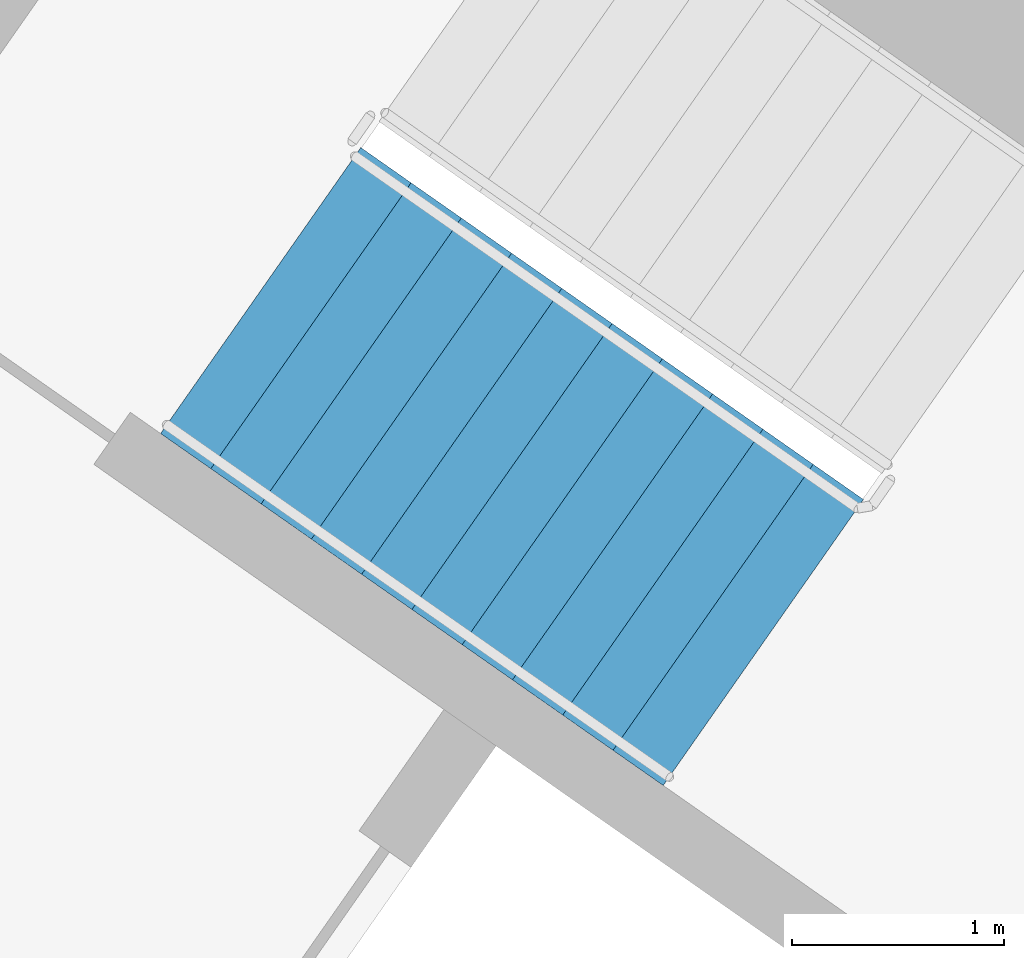
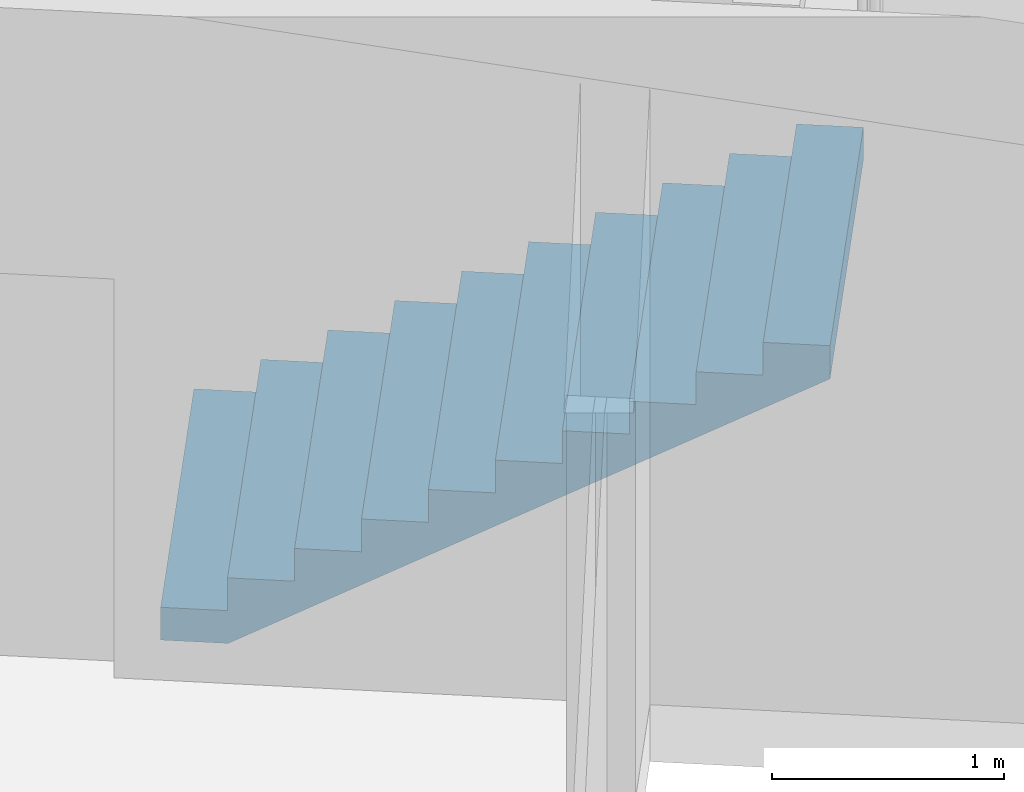
# One storey, part 11 of 29: 1 stair flight, 1 element without a shape of its own.
"""IFC4 building model written with IfcOpenShell, lengths in metres."""

from ifc_helpers import new_model, si_unit, direction, frame, origin, place, context, subcontext, project, spatial, faceted_brep, material, type_object, element, aggregate, save


model = new_model("IFC4")

# Units and contexts
model_context = context("Model", 3, precision=1e-05, world=origin(), true_north=direction((0.0, 1.0)))
body_context = subcontext(model_context, "Body", "Model", "MODEL_VIEW")
ifc_project = project(units=[si_unit("LENGTHUNIT", "METRE"), si_unit("AREAUNIT", "SQUARE_METRE"), si_unit("VOLUMEUNIT", "CUBIC_METRE"), si_unit("PLANEANGLEUNIT", "RADIAN"), si_unit("MASSUNIT", "GRAM", prefix="KILO")], contexts=[model_context])

# Site, building, storey
site_placement = place(None, origin())
site = spatial("IfcSite", under=ifc_project, at=site_placement, CompositionType="ELEMENT")
building_placement = place(site_placement, origin())
building = spatial("IfcBuilding", under=site, at=building_placement, Name="Qamariyya Broadcast Tower", CompositionType="ELEMENT")
storey_placement = place(building_placement, frame((0.0, 0.0, 132.89990234375)))
storey = spatial("IfcBuildingStorey", under=building, at=storey_placement, Name="L30", CompositionType="ELEMENT", Elevation=132.89990234375)

# Stair, stair flight
ifc_material = material(Name="Concrete C50/60", Category="concrete")
stair_type = type_object("IfcStairType", Name="Exit stair 22 risers of 173 mm", PredefinedType="HALF_TURN_STAIR", material=ifc_material)
stair_placement = place(storey_placement, origin())
stair = element("IfcStair", 1, at=stair_placement, inside=storey, type_object=stair_type, Name="L30 Stair W2", PredefinedType="HALF_TURN_STAIR")
stair_flight_type = type_object("IfcStairFlightType", Name="Exit stair flight 11 risers of 173 mm", PredefinedType="STRAIGHT", material=ifc_material)
stair_flight_placement = place(storey_placement, frame((-41.59130859375, -49.15966796875, 0.0), z_axis=(0.0, 0.0, 1.0), x_axis=(0.819152044289, -0.573576436351, 0.0)))
stair_flight = element("IfcStairFlight", 2, at=stair_flight_placement, type_object=stair_flight_type, Name="ST-W2 flight 1", NumberOfRisers=11, NumberOfTreads=10, PredefinedType="STRAIGHT", RiserHeight=0.172727273, TreadLength=0.29, context=body_context, shape_type="Brep", body=[
    faceted_brep([(0.0, 0.824951171875, 0.0), (0.0, 0.824951171875, 0.172607421875), (0.2900390625, 0.824951171875, 0.172607421875), (0.2900390625, 0.824951171875, 0.345458984375), (0.580078125, 0.824951171875, 0.345458984375), (0.580078125, 0.824951171875, 0.51806640625), (0.8701171875, 0.824951171875, 0.51806640625), (0.8701171875, 0.824951171875, 0.69091796875), (1.159912109375, 0.824951171875, 0.69091796875), (1.159912109375, 0.824951171875, 0.863525390625), (1.449951171875, 0.824951171875, 0.863525390625), (1.449951171875, 0.824951171875, 1.036376953125), (1.739990234375, 0.824951171875, 1.036376953125), (1.739990234375, 0.824951171875, 1.208984375), (2.030029296875, 0.824951171875, 1.208984375), (2.030029296875, 0.824951171875, 1.3818359375), (2.320068359375, 0.824951171875, 1.3818359375), (2.320068359375, 0.824951171875, 1.554443359375), (2.610107421875, 0.824951171875, 1.554443359375), (2.610107421875, 0.824951171875, 1.727294921875), (2.89990234375, 0.824951171875, 1.727294921875), (2.89990234375, 0.824951171875, 1.552734375), (0.29296875, 0.824951171875, 0.0), (0.29296875, -0.824951171875, 0.0), (2.89990234375, -0.824951171875, 1.552734375), (2.89990234375, -0.824951171875, 1.727294921875), (2.610107421875, -0.824951171875, 1.727294921875), (2.610107421875, -0.824951171875, 1.554443359375), (2.320068359375, -0.824951171875, 1.554443359375), (2.320068359375, -0.824951171875, 1.3818359375), (2.030029296875, -0.824951171875, 1.3818359375), (2.030029296875, -0.824951171875, 1.208984375), (1.739990234375, -0.824951171875, 1.208984375), (1.739990234375, -0.824951171875, 1.036376953125), (1.449951171875, -0.824951171875, 1.036376953125), (1.449951171875, -0.824951171875, 0.863525390625), (1.159912109375, -0.824951171875, 0.863525390625), (1.159912109375, -0.824951171875, 0.69091796875), (0.8701171875, -0.824951171875, 0.69091796875), (0.8701171875, -0.824951171875, 0.51806640625), (0.580078125, -0.824951171875, 0.51806640625), (0.580078125, -0.824951171875, 0.345458984375), (0.2900390625, -0.824951171875, 0.345458984375), (0.2900390625, -0.824951171875, 0.172607421875), (0.0, -0.824951171875, 0.172607421875), (0.0, -0.824951171875, 0.0), (0.0, 0.10009765625, 0.0), (0.0, 0.086669921875, 0.0), (0.0, 0.0732421875, 0.0), (0.0, 0.06005859375, 0.0), (0.0, 0.046630859375, 0.0), (0.0, 0.033447265625, 0.0), (0.0, 0.02001953125, 0.0), (0.0, 0.006591796875, 0.0), (0.0, -0.006591796875, 0.0), (0.0, -0.02001953125, 0.0), (0.0, -0.033447265625, 0.0), (0.0, -0.046630859375, 0.0), (0.0, -0.06005859375, 0.0), (0.0, -0.0732421875, 0.0), (0.0, -0.086669921875, 0.0), (0.0, -0.10009765625, 0.0), (0.0, -0.10009765625, 0.172607421875), (0.0, -0.086669921875, 0.172607421875), (0.0, -0.0732421875, 0.172607421875), (0.0, -0.06005859375, 0.172607421875), (0.0, -0.046630859375, 0.172607421875), (0.0, -0.033447265625, 0.172607421875), (0.0, -0.02001953125, 0.172607421875), (0.0, -0.006591796875, 0.172607421875), (0.0, 0.006591796875, 0.172607421875), (0.0, 0.02001953125, 0.172607421875), (0.0, 0.033447265625, 0.172607421875), (0.0, 0.046630859375, 0.172607421875), (0.0, 0.06005859375, 0.172607421875), (0.0, 0.0732421875, 0.172607421875), (0.0, 0.086669921875, 0.172607421875), (0.0, 0.10009765625, 0.172607421875), (0.2900390625, -0.10009765625, 0.172607421875), (0.2900390625, -0.086669921875, 0.172607421875), (0.2900390625, -0.0732421875, 0.172607421875), (0.2900390625, -0.06005859375, 0.172607421875), (0.2900390625, -0.046630859375, 0.172607421875), (0.2900390625, -0.033447265625, 0.172607421875), (0.2900390625, -0.02001953125, 0.172607421875), (0.2900390625, -0.006591796875, 0.172607421875), (0.2900390625, 0.006591796875, 0.172607421875), (0.2900390625, 0.02001953125, 0.172607421875), (0.2900390625, 0.033447265625, 0.172607421875), (0.2900390625, 0.046630859375, 0.172607421875), (0.2900390625, 0.06005859375, 0.172607421875), (0.2900390625, 0.0732421875, 0.172607421875), (0.2900390625, 0.086669921875, 0.172607421875), (0.2900390625, 0.10009765625, 0.172607421875), (0.2900390625, -0.10009765625, 0.345458984375), (0.2900390625, -0.086669921875, 0.345458984375), (0.2900390625, -0.0732421875, 0.345458984375), (0.2900390625, -0.06005859375, 0.345458984375), (0.2900390625, -0.046630859375, 0.345458984375), (0.2900390625, -0.033447265625, 0.345458984375), (0.2900390625, -0.02001953125, 0.345458984375), (0.2900390625, -0.006591796875, 0.345458984375), (0.2900390625, 0.006591796875, 0.345458984375), (0.2900390625, 0.02001953125, 0.345458984375), (0.2900390625, 0.033447265625, 0.345458984375), (0.2900390625, 0.046630859375, 0.345458984375), (0.2900390625, 0.06005859375, 0.345458984375), (0.2900390625, 0.0732421875, 0.345458984375), (0.2900390625, 0.086669921875, 0.345458984375), (0.2900390625, 0.10009765625, 0.345458984375), (0.580078125, -0.10009765625, 0.345458984375), (0.580078125, -0.086669921875, 0.345458984375), (0.580078125, -0.0732421875, 0.345458984375), (0.580078125, -0.06005859375, 0.345458984375), (0.580078125, -0.046630859375, 0.345458984375), (0.580078125, -0.033447265625, 0.345458984375), (0.580078125, -0.02001953125, 0.345458984375), (0.580078125, -0.006591796875, 0.345458984375), (0.580078125, 0.006591796875, 0.345458984375), (0.580078125, 0.02001953125, 0.345458984375), (0.580078125, 0.033447265625, 0.345458984375), (0.580078125, 0.046630859375, 0.345458984375), (0.580078125, 0.06005859375, 0.345458984375), (0.580078125, 0.0732421875, 0.345458984375), (0.580078125, 0.086669921875, 0.345458984375), (0.580078125, 0.10009765625, 0.345458984375), (0.580078125, -0.10009765625, 0.51806640625), (0.580078125, -0.086669921875, 0.51806640625), (0.580078125, -0.0732421875, 0.51806640625), (0.580078125, -0.06005859375, 0.51806640625), (0.580078125, -0.046630859375, 0.51806640625), (0.580078125, -0.033447265625, 0.51806640625), (0.580078125, -0.02001953125, 0.51806640625), (0.580078125, -0.006591796875, 0.51806640625), (0.580078125, 0.006591796875, 0.51806640625), (0.580078125, 0.02001953125, 0.51806640625), (0.580078125, 0.033447265625, 0.51806640625), (0.580078125, 0.046630859375, 0.51806640625), (0.580078125, 0.06005859375, 0.51806640625), (0.580078125, 0.0732421875, 0.51806640625), (0.580078125, 0.086669921875, 0.51806640625), (0.580078125, 0.10009765625, 0.51806640625), (0.8701171875, -0.10009765625, 0.51806640625), (0.8701171875, -0.086669921875, 0.51806640625), (0.8701171875, -0.0732421875, 0.51806640625), (0.8701171875, -0.06005859375, 0.51806640625), (0.8701171875, -0.046630859375, 0.51806640625), (0.8701171875, -0.033447265625, 0.51806640625), (0.8701171875, -0.02001953125, 0.51806640625), (0.8701171875, -0.006591796875, 0.51806640625), (0.8701171875, 0.006591796875, 0.51806640625), (0.8701171875, 0.02001953125, 0.51806640625), (0.8701171875, 0.033447265625, 0.51806640625), (0.8701171875, 0.046630859375, 0.51806640625), (0.8701171875, 0.06005859375, 0.51806640625), (0.8701171875, 0.0732421875, 0.51806640625), (0.8701171875, 0.086669921875, 0.51806640625), (0.8701171875, 0.10009765625, 0.51806640625), (0.8701171875, -0.10009765625, 0.69091796875), (0.8701171875, -0.086669921875, 0.69091796875), (0.8701171875, -0.0732421875, 0.69091796875), (0.8701171875, -0.06005859375, 0.69091796875), (0.8701171875, -0.046630859375, 0.69091796875), (0.8701171875, -0.033447265625, 0.69091796875), (0.8701171875, -0.02001953125, 0.69091796875), (0.8701171875, -0.006591796875, 0.69091796875), (0.8701171875, 0.006591796875, 0.69091796875), (0.8701171875, 0.02001953125, 0.69091796875), (0.8701171875, 0.033447265625, 0.69091796875), (0.8701171875, 0.046630859375, 0.69091796875), (0.8701171875, 0.06005859375, 0.69091796875), (0.8701171875, 0.0732421875, 0.69091796875), (0.8701171875, 0.086669921875, 0.69091796875), (0.8701171875, 0.10009765625, 0.69091796875), (1.159912109375, -0.10009765625, 0.69091796875), (1.159912109375, -0.086669921875, 0.69091796875), (1.159912109375, -0.0732421875, 0.69091796875), (1.159912109375, -0.06005859375, 0.69091796875), (1.159912109375, -0.046630859375, 0.69091796875), (1.159912109375, -0.033447265625, 0.69091796875), (1.159912109375, -0.02001953125, 0.69091796875), (1.159912109375, -0.006591796875, 0.69091796875), (1.159912109375, 0.006591796875, 0.69091796875), (1.159912109375, 0.02001953125, 0.69091796875), (1.159912109375, 0.033447265625, 0.69091796875), (1.159912109375, 0.046630859375, 0.69091796875), (1.159912109375, 0.06005859375, 0.69091796875), (1.159912109375, 0.0732421875, 0.69091796875), (1.159912109375, 0.086669921875, 0.69091796875), (1.159912109375, 0.10009765625, 0.69091796875), (1.159912109375, -0.10009765625, 0.863525390625), (1.159912109375, -0.086669921875, 0.863525390625), (1.159912109375, -0.0732421875, 0.863525390625), (1.159912109375, -0.06005859375, 0.863525390625), (1.159912109375, -0.046630859375, 0.863525390625), (1.159912109375, -0.033447265625, 0.863525390625), (1.159912109375, -0.02001953125, 0.863525390625), (1.159912109375, -0.006591796875, 0.863525390625), (1.159912109375, 0.006591796875, 0.863525390625), (1.159912109375, 0.02001953125, 0.863525390625), (1.159912109375, 0.033447265625, 0.863525390625), (1.159912109375, 0.046630859375, 0.863525390625), (1.159912109375, 0.06005859375, 0.863525390625), (1.159912109375, 0.0732421875, 0.863525390625), (1.159912109375, 0.086669921875, 0.863525390625), (1.159912109375, 0.10009765625, 0.863525390625), (1.449951171875, -0.10009765625, 0.863525390625), (1.449951171875, -0.086669921875, 0.863525390625), (1.449951171875, -0.0732421875, 0.863525390625), (1.449951171875, -0.06005859375, 0.863525390625), (1.449951171875, -0.046630859375, 0.863525390625), (1.449951171875, -0.033447265625, 0.863525390625), (1.449951171875, -0.02001953125, 0.863525390625), (1.449951171875, -0.006591796875, 0.863525390625), (1.449951171875, 0.006591796875, 0.863525390625), (1.449951171875, 0.02001953125, 0.863525390625), (1.449951171875, 0.033447265625, 0.863525390625), (1.449951171875, 0.046630859375, 0.863525390625), (1.449951171875, 0.06005859375, 0.863525390625), (1.449951171875, 0.0732421875, 0.863525390625), (1.449951171875, 0.086669921875, 0.863525390625), (1.449951171875, 0.10009765625, 0.863525390625), (1.449951171875, -0.10009765625, 1.036376953125), (1.449951171875, -0.086669921875, 1.036376953125), (1.449951171875, -0.0732421875, 1.036376953125), (1.449951171875, -0.06005859375, 1.036376953125), (1.449951171875, -0.046630859375, 1.036376953125), (1.449951171875, -0.033447265625, 1.036376953125), (1.449951171875, -0.02001953125, 1.036376953125), (1.449951171875, -0.006591796875, 1.036376953125), (1.449951171875, 0.006591796875, 1.036376953125), (1.449951171875, 0.02001953125, 1.036376953125), (1.449951171875, 0.033447265625, 1.036376953125), (1.449951171875, 0.046630859375, 1.036376953125), (1.449951171875, 0.06005859375, 1.036376953125), (1.449951171875, 0.0732421875, 1.036376953125), (1.449951171875, 0.086669921875, 1.036376953125), (1.449951171875, 0.10009765625, 1.036376953125), (1.739990234375, -0.10009765625, 1.036376953125), (1.739990234375, -0.086669921875, 1.036376953125), (1.739990234375, -0.0732421875, 1.036376953125), (1.739990234375, -0.06005859375, 1.036376953125), (1.739990234375, -0.046630859375, 1.036376953125), (1.739990234375, -0.033447265625, 1.036376953125), (1.739990234375, -0.02001953125, 1.036376953125), (1.739990234375, -0.006591796875, 1.036376953125), (1.739990234375, 0.006591796875, 1.036376953125), (1.739990234375, 0.02001953125, 1.036376953125), (1.739990234375, 0.033447265625, 1.036376953125), (1.739990234375, 0.046630859375, 1.036376953125), (1.739990234375, 0.06005859375, 1.036376953125), (1.739990234375, 0.0732421875, 1.036376953125), (1.739990234375, 0.086669921875, 1.036376953125), (1.739990234375, 0.10009765625, 1.036376953125), (1.739990234375, -0.10009765625, 1.208984375), (1.739990234375, -0.086669921875, 1.208984375), (1.739990234375, -0.0732421875, 1.208984375), (1.739990234375, -0.06005859375, 1.208984375), (1.739990234375, -0.046630859375, 1.208984375), (1.739990234375, -0.033447265625, 1.208984375), (1.739990234375, -0.02001953125, 1.208984375), (1.739990234375, -0.006591796875, 1.208984375), (1.739990234375, 0.006591796875, 1.208984375), (1.739990234375, 0.02001953125, 1.208984375), (1.739990234375, 0.033447265625, 1.208984375), (1.739990234375, 0.046630859375, 1.208984375), (1.739990234375, 0.06005859375, 1.208984375), (1.739990234375, 0.0732421875, 1.208984375), (1.739990234375, 0.086669921875, 1.208984375), (1.739990234375, 0.10009765625, 1.208984375), (2.030029296875, -0.10009765625, 1.208984375), (2.030029296875, -0.086669921875, 1.208984375), (2.030029296875, -0.0732421875, 1.208984375), (2.030029296875, -0.06005859375, 1.208984375), (2.030029296875, -0.046630859375, 1.208984375), (2.030029296875, -0.033447265625, 1.208984375), (2.030029296875, -0.02001953125, 1.208984375), (2.030029296875, -0.006591796875, 1.208984375), (2.030029296875, 0.006591796875, 1.208984375), (2.030029296875, 0.02001953125, 1.208984375), (2.030029296875, 0.033447265625, 1.208984375), (2.030029296875, 0.046630859375, 1.208984375), (2.030029296875, 0.06005859375, 1.208984375), (2.030029296875, 0.0732421875, 1.208984375), (2.030029296875, 0.086669921875, 1.208984375), (2.030029296875, 0.10009765625, 1.208984375), (2.030029296875, -0.10009765625, 1.3818359375), (2.030029296875, -0.086669921875, 1.3818359375), (2.030029296875, -0.0732421875, 1.3818359375), (2.030029296875, -0.06005859375, 1.3818359375), (2.030029296875, -0.046630859375, 1.3818359375), (2.030029296875, -0.033447265625, 1.3818359375), (2.030029296875, -0.02001953125, 1.3818359375), (2.030029296875, -0.006591796875, 1.3818359375), (2.030029296875, 0.006591796875, 1.3818359375), (2.030029296875, 0.02001953125, 1.3818359375), (2.030029296875, 0.033447265625, 1.3818359375), (2.030029296875, 0.046630859375, 1.3818359375), (2.030029296875, 0.06005859375, 1.3818359375), (2.030029296875, 0.0732421875, 1.3818359375), (2.030029296875, 0.086669921875, 1.3818359375), (2.030029296875, 0.10009765625, 1.3818359375), (2.320068359375, -0.10009765625, 1.3818359375), (2.320068359375, -0.086669921875, 1.3818359375), (2.320068359375, -0.0732421875, 1.3818359375), (2.320068359375, -0.06005859375, 1.3818359375), (2.320068359375, -0.046630859375, 1.3818359375), (2.320068359375, -0.033447265625, 1.3818359375), (2.320068359375, -0.02001953125, 1.3818359375), (2.320068359375, -0.006591796875, 1.3818359375), (2.320068359375, 0.006591796875, 1.3818359375), (2.320068359375, 0.02001953125, 1.3818359375), (2.320068359375, 0.033447265625, 1.3818359375), (2.320068359375, 0.046630859375, 1.3818359375), (2.320068359375, 0.06005859375, 1.3818359375), (2.320068359375, 0.0732421875, 1.3818359375), (2.320068359375, 0.086669921875, 1.3818359375), (2.320068359375, 0.10009765625, 1.3818359375), (2.320068359375, -0.10009765625, 1.554443359375), (2.320068359375, -0.086669921875, 1.554443359375), (2.320068359375, -0.0732421875, 1.554443359375), (2.320068359375, -0.06005859375, 1.554443359375), (2.320068359375, -0.046630859375, 1.554443359375), (2.320068359375, -0.033447265625, 1.554443359375), (2.320068359375, -0.02001953125, 1.554443359375), (2.320068359375, -0.006591796875, 1.554443359375), (2.320068359375, 0.006591796875, 1.554443359375), (2.320068359375, 0.02001953125, 1.554443359375), (2.320068359375, 0.033447265625, 1.554443359375), (2.320068359375, 0.046630859375, 1.554443359375), (2.320068359375, 0.06005859375, 1.554443359375), (2.320068359375, 0.0732421875, 1.554443359375), (2.320068359375, 0.086669921875, 1.554443359375), (2.320068359375, 0.10009765625, 1.554443359375), (2.610107421875, -0.10009765625, 1.554443359375), (2.610107421875, -0.086669921875, 1.554443359375), (2.610107421875, -0.0732421875, 1.554443359375), (2.610107421875, -0.06005859375, 1.554443359375), (2.610107421875, -0.046630859375, 1.554443359375), (2.610107421875, -0.033447265625, 1.554443359375), (2.610107421875, -0.02001953125, 1.554443359375), (2.610107421875, -0.006591796875, 1.554443359375), (2.610107421875, 0.006591796875, 1.554443359375), (2.610107421875, 0.02001953125, 1.554443359375), (2.610107421875, 0.033447265625, 1.554443359375), (2.610107421875, 0.046630859375, 1.554443359375), (2.610107421875, 0.06005859375, 1.554443359375), (2.610107421875, 0.0732421875, 1.554443359375), (2.610107421875, 0.086669921875, 1.554443359375), (2.610107421875, 0.10009765625, 1.554443359375), (2.610107421875, -0.10009765625, 1.727294921875), (2.610107421875, -0.086669921875, 1.727294921875), (2.610107421875, -0.0732421875, 1.727294921875), (2.610107421875, -0.06005859375, 1.727294921875), (2.610107421875, -0.046630859375, 1.727294921875), (2.610107421875, -0.033447265625, 1.727294921875), (2.610107421875, -0.02001953125, 1.727294921875), (2.610107421875, -0.006591796875, 1.727294921875), (2.610107421875, 0.006591796875, 1.727294921875), (2.610107421875, 0.02001953125, 1.727294921875), (2.610107421875, 0.033447265625, 1.727294921875), (2.610107421875, 0.046630859375, 1.727294921875), (2.610107421875, 0.06005859375, 1.727294921875), (2.610107421875, 0.0732421875, 1.727294921875), (2.610107421875, 0.086669921875, 1.727294921875), (2.610107421875, 0.10009765625, 1.727294921875), (2.89990234375, -0.10009765625, 1.727294921875), (2.89990234375, -0.086669921875, 1.727294921875), (2.89990234375, -0.0732421875, 1.727294921875), (2.89990234375, -0.06005859375, 1.727294921875), (2.89990234375, -0.046630859375, 1.727294921875), (2.89990234375, -0.033447265625, 1.727294921875), (2.89990234375, -0.02001953125, 1.727294921875), (2.89990234375, -0.006591796875, 1.727294921875), (2.89990234375, 0.006591796875, 1.727294921875), (2.89990234375, 0.02001953125, 1.727294921875), (2.89990234375, 0.033447265625, 1.727294921875), (2.89990234375, 0.046630859375, 1.727294921875), (2.89990234375, 0.06005859375, 1.727294921875), (2.89990234375, 0.0732421875, 1.727294921875), (2.89990234375, 0.086669921875, 1.727294921875), (2.89990234375, 0.10009765625, 1.727294921875), (2.89990234375, -0.10009765625, 1.552734375), (2.89990234375, -0.086669921875, 1.552734375), (2.89990234375, -0.0732421875, 1.552734375), (2.89990234375, -0.06005859375, 1.552734375), (2.89990234375, -0.046630859375, 1.552734375), (2.89990234375, -0.033447265625, 1.552734375), (2.89990234375, -0.02001953125, 1.552734375), (2.89990234375, -0.006591796875, 1.552734375), (2.89990234375, 0.006591796875, 1.552734375), (2.89990234375, 0.02001953125, 1.552734375), (2.89990234375, 0.033447265625, 1.552734375), (2.89990234375, 0.046630859375, 1.552734375), (2.89990234375, 0.06005859375, 1.552734375), (2.89990234375, 0.0732421875, 1.552734375), (2.89990234375, 0.086669921875, 1.552734375), (2.89990234375, 0.10009765625, 1.552734375), (0.29296875, -0.10009765625, 0.0), (0.29296875, -0.086669921875, 0.0), (0.29296875, -0.0732421875, 0.0), (0.29296875, -0.06005859375, 0.0), (0.29296875, -0.046630859375, 0.0), (0.29296875, -0.033447265625, 0.0), (0.29296875, -0.02001953125, 0.0), (0.29296875, -0.006591796875, 0.0), (0.29296875, 0.006591796875, 0.0), (0.29296875, 0.02001953125, 0.0), (0.29296875, 0.033447265625, 0.0), (0.29296875, 0.046630859375, 0.0), (0.29296875, 0.06005859375, 0.0), (0.29296875, 0.0732421875, 0.0), (0.29296875, 0.086669921875, 0.0), (0.29296875, 0.10009765625, 0.0)], [[[0, 1, 2, 3, 4, 5, 6, 7, 8, 9, 10, 11, 12, 13, 14, 15, 16, 17, 18, 19, 20, 21, 22]], [[23, 24, 25, 26, 27, 28, 29, 30, 31, 32, 33, 34, 35, 36, 37, 38, 39, 40, 41, 42, 43, 44, 45]], [[0, 46, 47, 48, 49, 50, 51, 52, 53, 54, 55, 56, 57, 58, 59, 60, 61, 45, 44, 62, 63, 64, 65, 66, 67, 68, 69, 70, 71, 72, 73, 74, 75, 76, 77, 1]], [[1, 77, 76, 75, 74, 73, 72, 71, 70, 69, 68, 67, 66, 65, 64, 63, 62, 44, 43, 78, 79, 80, 81, 82, 83, 84, 85, 86, 87, 88, 89, 90, 91, 92, 93, 2]], [[2, 93, 92, 91, 90, 89, 88, 87, 86, 85, 84, 83, 82, 81, 80, 79, 78, 43, 42, 94, 95, 96, 97, 98, 99, 100, 101, 102, 103, 104, 105, 106, 107, 108, 109, 3]], [[3, 109, 108, 107, 106, 105, 104, 103, 102, 101, 100, 99, 98, 97, 96, 95, 94, 42, 41, 110, 111, 112, 113, 114, 115, 116, 117, 118, 119, 120, 121, 122, 123, 124, 125, 4]], [[4, 125, 124, 123, 122, 121, 120, 119, 118, 117, 116, 115, 114, 113, 112, 111, 110, 41, 40, 126, 127, 128, 129, 130, 131, 132, 133, 134, 135, 136, 137, 138, 139, 140, 141, 5]], [[5, 141, 140, 139, 138, 137, 136, 135, 134, 133, 132, 131, 130, 129, 128, 127, 126, 40, 39, 142, 143, 144, 145, 146, 147, 148, 149, 150, 151, 152, 153, 154, 155, 156, 157, 6]], [[6, 157, 156, 155, 154, 153, 152, 151, 150, 149, 148, 147, 146, 145, 144, 143, 142, 39, 38, 158, 159, 160, 161, 162, 163, 164, 165, 166, 167, 168, 169, 170, 171, 172, 173, 7]], [[7, 173, 172, 171, 170, 169, 168, 167, 166, 165, 164, 163, 162, 161, 160, 159, 158, 38, 37, 174, 175, 176, 177, 178, 179, 180, 181, 182, 183, 184, 185, 186, 187, 188, 189, 8]], [[8, 189, 188, 187, 186, 185, 184, 183, 182, 181, 180, 179, 178, 177, 176, 175, 174, 37, 36, 190, 191, 192, 193, 194, 195, 196, 197, 198, 199, 200, 201, 202, 203, 204, 205, 9]], [[9, 205, 204, 203, 202, 201, 200, 199, 198, 197, 196, 195, 194, 193, 192, 191, 190, 36, 35, 206, 207, 208, 209, 210, 211, 212, 213, 214, 215, 216, 217, 218, 219, 220, 221, 10]], [[10, 221, 220, 219, 218, 217, 216, 215, 214, 213, 212, 211, 210, 209, 208, 207, 206, 35, 34, 222, 223, 224, 225, 226, 227, 228, 229, 230, 231, 232, 233, 234, 235, 236, 237, 11]], [[11, 237, 236, 235, 234, 233, 232, 231, 230, 229, 228, 227, 226, 225, 224, 223, 222, 34, 33, 238, 239, 240, 241, 242, 243, 244, 245, 246, 247, 248, 249, 250, 251, 252, 253, 12]], [[12, 253, 252, 251, 250, 249, 248, 247, 246, 245, 244, 243, 242, 241, 240, 239, 238, 33, 32, 254, 255, 256, 257, 258, 259, 260, 261, 262, 263, 264, 265, 266, 267, 268, 269, 13]], [[13, 269, 268, 267, 266, 265, 264, 263, 262, 261, 260, 259, 258, 257, 256, 255, 254, 32, 31, 270, 271, 272, 273, 274, 275, 276, 277, 278, 279, 280, 281, 282, 283, 284, 285, 14]], [[14, 285, 284, 283, 282, 281, 280, 279, 278, 277, 276, 275, 274, 273, 272, 271, 270, 31, 30, 286, 287, 288, 289, 290, 291, 292, 293, 294, 295, 296, 297, 298, 299, 300, 301, 15]], [[15, 301, 300, 299, 298, 297, 296, 295, 294, 293, 292, 291, 290, 289, 288, 287, 286, 30, 29, 302, 303, 304, 305, 306, 307, 308, 309, 310, 311, 312, 313, 314, 315, 316, 317, 16]], [[16, 317, 316, 315, 314, 313, 312, 311, 310, 309, 308, 307, 306, 305, 304, 303, 302, 29, 28, 318, 319, 320, 321, 322, 323, 324, 325, 326, 327, 328, 329, 330, 331, 332, 333, 17]], [[17, 333, 332, 331, 330, 329, 328, 327, 326, 325, 324, 323, 322, 321, 320, 319, 318, 28, 27, 334, 335, 336, 337, 338, 339, 340, 341, 342, 343, 344, 345, 346, 347, 348, 349, 18]], [[18, 349, 348, 347, 346, 345, 344, 343, 342, 341, 340, 339, 338, 337, 336, 335, 334, 27, 26, 350, 351, 352, 353, 354, 355, 356, 357, 358, 359, 360, 361, 362, 363, 364, 365, 19]], [[19, 365, 364, 363, 362, 361, 360, 359, 358, 357, 356, 355, 354, 353, 352, 351, 350, 26, 25, 366, 367, 368, 369, 370, 371, 372, 373, 374, 375, 376, 377, 378, 379, 380, 381, 20]], [[20, 381, 380, 379, 378, 377, 376, 375, 374, 373, 372, 371, 370, 369, 368, 367, 366, 25, 24, 382, 383, 384, 385, 386, 387, 388, 389, 390, 391, 392, 393, 394, 395, 396, 397, 21]], [[21, 397, 396, 395, 394, 393, 392, 391, 390, 389, 388, 387, 386, 385, 384, 383, 382, 24, 23, 398, 399, 400, 401, 402, 403, 404, 405, 406, 407, 408, 409, 410, 411, 412, 413, 22]], [[22, 413, 412, 411, 410, 409, 408, 407, 406, 405, 404, 403, 402, 401, 400, 399, 398, 23, 45, 61, 60, 59, 58, 57, 56, 55, 54, 53, 52, 51, 50, 49, 48, 47, 46, 0]]]),
])
aggregate(stair, [stair_flight])

save(model, "model.ifc")
